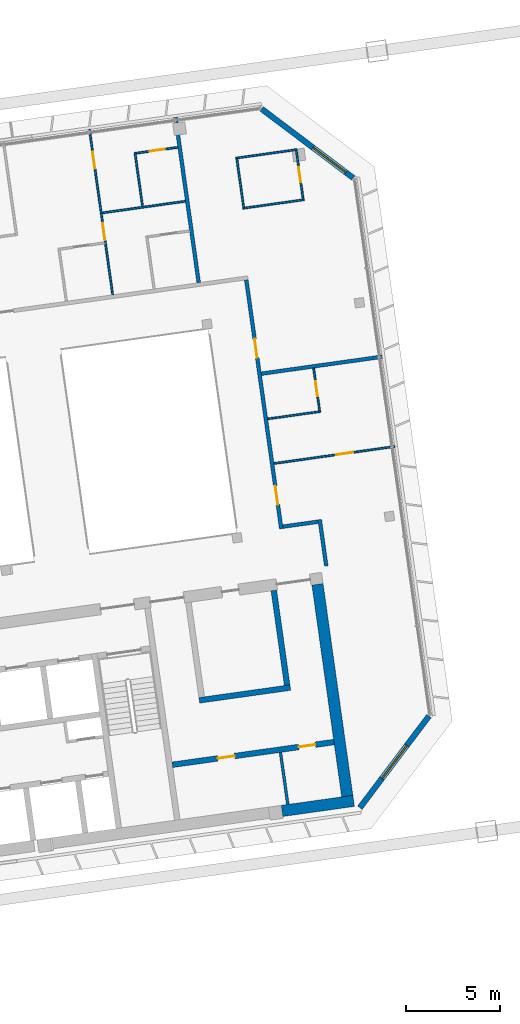
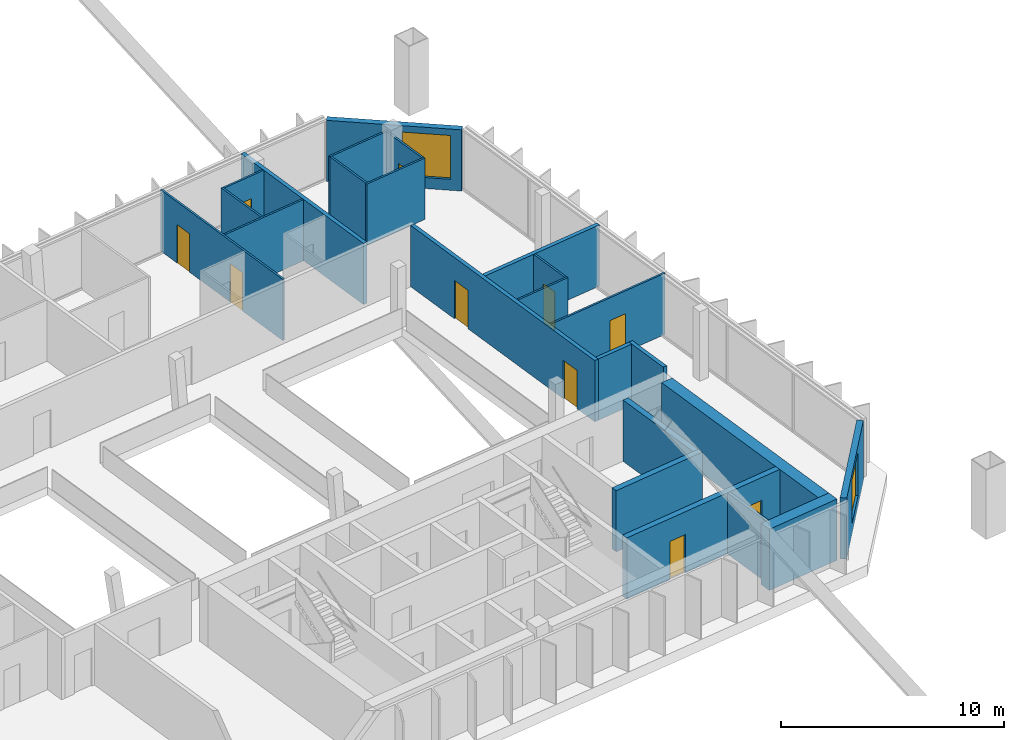
# One storey, part 25 of 28: 24 walls, 10 doors, 2 windows, 12 openings.
"""IFC4 building model written with IfcOpenShell, lengths in metres."""

from ifc_helpers import new_model, si_unit, direction, frame, frame_2d, origin, place, context, subcontext, project, spatial, rectangle, extrude, material, layer, layer_set, type_object, element, fill, save


model = new_model("IFC4")

# Units and contexts
model_context = context("Model", 3, precision=1e-05, world=origin(), true_north=direction((0.0, 1.0)))
body_context = subcontext(model_context, "Body", "Model", "MODEL_VIEW")
ifc_project = project(units=[si_unit("LENGTHUNIT", "METRE"), si_unit("AREAUNIT", "SQUARE_METRE"), si_unit("VOLUMEUNIT", "CUBIC_METRE"), si_unit("PLANEANGLEUNIT", "RADIAN"), si_unit("MASSUNIT", "GRAM", prefix="KILO")], contexts=[model_context])

# Site, building, storey
site_placement = place(None, origin())
site = spatial("IfcSite", under=ifc_project, at=site_placement, CompositionType="ELEMENT")
building_placement = place(site_placement, origin())
building = spatial("IfcBuilding", under=site, at=building_placement, Name="Mirante Cascada Hotel Towers", CompositionType="ELEMENT")
storey_placement = place(building_placement, frame((0.0, 0.0, 243.2)))
storey = spatial("IfcBuildingStorey", under=building, at=storey_placement, Name="L58", CompositionType="ELEMENT", Elevation=243.2)

# Walls
ifc_material_1 = material(Name="Fire-rated plasterboard on metal studs")
ifc_layer_1 = layer(ifc_material_1, 0.2)
ifc_layer_set_1 = layer_set([ifc_layer_1], Name="Compartment wall 200 EI 120")
wall_type_1 = type_object("IfcWallType", Name="Compartment wall 200 EI 120", PredefinedType="PARTITIONING", material=ifc_layer_set_1)
wall_1_placement = place(storey_placement, frame((61.5676, -0.9969, 0.0), z_axis=(0.0, 0.0, 1.0), x_axis=(-0.9902701, -0.1391589, 0.0)))
element("IfcWall", 1, at=wall_1_placement, inside=storey, type_object=wall_type_1, Name="Wall 2-L58-04", PredefinedType="PARTITIONING", context=body_context, shape_type="SweptSolid", body=[
    extrude(rectangle(XDim=1.9, YDim=0.2, at=frame_2d((0.95, 0.0))), origin(), (0.0, 0.0, 1.0), 3.35),
])
wall_2_placement = place(storey_placement, frame((58.5402, 6.8919, 0.0), z_axis=(0.0, 0.0, 1.0), x_axis=(0.9902688, 0.1391681, 0.0)))
element("IfcWall", 2, at=wall_2_placement, inside=storey, type_object=wall_type_1, Name="Wall 2-L58-13", PredefinedType="PARTITIONING", context=body_context, shape_type="SweptSolid", body=[
    extrude(rectangle(XDim=6.5001, YDim=0.2, at=frame_2d((3.25, 0.0))), origin(), (0.0, 0.0, 1.0), 3.35),
])
wall_3_placement = place(storey_placement, frame((55.2016, 11.7411, 0.0), z_axis=(0.0, 0.0, 1.0), x_axis=(-0.1391794, 0.9902672, 0.0)))
element("IfcWall", 3, at=wall_3_placement, inside=storey, type_object=wall_type_1, Name="Wall 2-L58-45", PredefinedType="PARTITIONING", context=body_context, shape_type="SweptSolid", body=[
    extrude(rectangle(XDim=8.9, YDim=0.2, at=frame_2d((4.45, 0.0))), origin(), (0.0, 0.0, 1.0), 3.35),
])

# Wall, openings, doors
wall_4_placement = place(storey_placement, frame((57.7361, 11.8953, 0.0), z_axis=(0.0, 0.0, 1.0), x_axis=(0.1391726, -0.9902681, 0.0)))
wall_4 = element("IfcWall", 4, at=wall_4_placement, inside=storey, type_object=wall_type_1, Name="Wall 2-L58-46", PredefinedType="PARTITIONING", context=body_context, shape_type="SweptSolid", body=[
    extrude(rectangle(XDim=13.3999, YDim=0.2, at=frame_2d((6.7, 0.0))), origin(), (0.0, 0.0, 1.0), 3.35),
])
opening_1_placement = place(wall_4_placement, frame((11.1, 0.0, 0.0)))
opening_1 = element("IfcOpeningElement", 5, at=opening_1_placement, cuts=wall_4, Name="Opening D2-L58-28", PredefinedType="OPENING", context=body_context, shape_type="SweptSolid", body=[
    extrude(rectangle(XDim=1.0, YDim=2.1, at=frame_2d((0.5, 1.05))), frame((0.0, 0.1, 0.0), z_axis=(0.0, -1.0, 0.0), x_axis=(1.0, 0.0, 0.0)), (0.0, 0.0, 1.0), 0.2),
])
opening_2_placement = place(wall_4_placement, frame((3.1834, 0.0, 0.0)))
opening_2 = element("IfcOpeningElement", 6, at=opening_2_placement, cuts=wall_4, Name="Opening D2-L58-29", PredefinedType="OPENING", context=body_context, shape_type="SweptSolid", body=[
    extrude(rectangle(XDim=1.0, YDim=2.1, at=frame_2d((0.5, 1.05))), frame((0.0, 0.1, 0.0), z_axis=(0.0, -1.0, 0.0), x_axis=(1.0, 0.0, 0.0)), (0.0, 0.0, 1.0), 0.2),
])
ifc_material_2 = material(Name="Fire-rated timber door leaf", Category="wood")
door_type_1 = type_object("IfcDoorType", Name="Entrance door DG1 1000x2100 EI 60", OperationType="SINGLE_SWING_LEFT", PredefinedType="DOOR", material=ifc_material_2)
door_1_placement = place(opening_1_placement, origin())
door_1 = element("IfcDoor", 7, at=door_1_placement, inside=storey, type_object=door_type_1, Name="Door D2-L58-28", OperationType="SINGLE_SWING_LEFT", OverallHeight=2.1, OverallWidth=1.0, PredefinedType="DOOR", context=body_context, shape_type="SweptSolid", body=[
    extrude(rectangle(XDim=1.0, YDim=2.1, at=frame_2d((0.5, 1.05))), frame((0.0, 0.025, 0.0), z_axis=(0.0, -1.0, 0.0), x_axis=(1.0, 0.0, 0.0)), (0.0, 0.0, 1.0), 0.05),
])
fill(opening_1, door_1)
door_2_placement = place(opening_2_placement, origin())
door_2 = element("IfcDoor", 8, at=door_2_placement, inside=storey, type_object=door_type_1, Name="Door D2-L58-29", OperationType="SINGLE_SWING_LEFT", OverallHeight=2.1, OverallWidth=1.0, PredefinedType="DOOR", context=body_context, shape_type="SweptSolid", body=[
    extrude(rectangle(XDim=1.0, YDim=2.1, at=frame_2d((0.5, 1.05))), frame((0.0, 0.025, 0.0), z_axis=(0.0, -1.0, 0.0), x_axis=(1.0, 0.0, 0.0)), (0.0, 0.0, 1.0), 0.05),
])
fill(opening_2, door_2)

# Walls
wall_5_placement = place(storey_placement, frame((61.6527, -0.8839, 0.0), z_axis=(0.0, 0.0, 1.0), x_axis=(0.1391586, -0.9902701, 0.0)))
element("IfcWall", 9, at=wall_5_placement, inside=storey, type_object=wall_type_1, Name="Wall 2-L58-48", PredefinedType="PARTITIONING", context=body_context, shape_type="SweptSolid", body=[
    extrude(rectangle(XDim=2.5, YDim=0.2, at=frame_2d((1.25, 0.0))), origin(), (0.0, 0.0, 1.0), 3.35),
])
ifc_material_3 = material(Name="Masonry block", Category="masonry")
ifc_layer_2 = layer(ifc_material_3, 0.15)
ifc_layer_set_2 = layer_set([ifc_layer_2], Name="Core room partition 150 block EI 30")
wall_type_2 = type_object("IfcWallType", Name="Core room partition 150 block EI 30", PredefinedType="PARTITIONING", material=ifc_layer_set_2)
wall_6_placement = place(storey_placement, frame((59.9495, -16.0688, 0.0), z_axis=(0.0, 0.0, 1.0), x_axis=(-0.139176, 0.9902677, 0.0)))
element("IfcWall", 10, at=wall_6_placement, inside=storey, type_object=wall_type_2, Name="Core wall partition T2 L58 6", PredefinedType="PARTITIONING", context=body_context, shape_type="SweptSolid", body=[
    extrude(rectangle(XDim=2.8001, YDim=0.15, at=frame_2d((1.4, 0.0))), origin(), (0.0, 0.0, 1.0), 3.35),
])

# Wall, openings, doors
ifc_material_4 = material(Name="Masonry block", Category="masonry")
ifc_layer_3 = layer(ifc_material_4, 0.3)
ifc_layer_set_3 = layer_set([ifc_layer_3], Name="Core wall 300 block EI 120")
wall_type_3 = type_object("IfcWallType", Name="Core wall 300 block EI 120", PredefinedType="PARTITIONING", material=ifc_layer_set_3)
wall_7_placement = place(storey_placement, frame((53.7953, -13.9547, 0.0), z_axis=(0.0, 0.0, 1.0), x_axis=(0.9902683, 0.1391714, 0.0)))
wall_7 = element("IfcWall", 11, at=wall_7_placement, inside=storey, type_object=wall_type_3, Name="Core wall partition T2 L58 5", PredefinedType="PARTITIONING", context=body_context, shape_type="SweptSolid", body=[
    extrude(rectangle(XDim=8.7001, YDim=0.3, at=frame_2d((4.3501, 0.0))), origin(), (0.0, 0.0, 1.0), 3.35),
])
opening_3_placement = place(wall_7_placement, frame((2.45, 0.0, 0.0)))
opening_3 = element("IfcOpeningElement", 12, at=opening_3_placement, cuts=wall_7, Name="Opening D2-58-C18", PredefinedType="OPENING", context=body_context, shape_type="SweptSolid", body=[
    extrude(rectangle(XDim=0.9, YDim=2.1, at=frame_2d((0.45, 1.05))), frame((0.0, 0.15, 0.0), z_axis=(0.0, -1.0, 0.0), x_axis=(1.0, 0.0, 0.0)), (0.0, 0.0, 1.0), 0.3),
])
opening_4_placement = place(wall_7_placement, frame((6.8, 0.0, 0.0)))
opening_4 = element("IfcOpeningElement", 13, at=opening_4_placement, cuts=wall_7, Name="Opening D2-58-C19", PredefinedType="OPENING", context=body_context, shape_type="SweptSolid", body=[
    extrude(rectangle(XDim=0.9, YDim=2.1, at=frame_2d((0.45, 1.05))), frame((0.0, 0.15, 0.0), z_axis=(0.0, -1.0, 0.0), x_axis=(1.0, 0.0, 0.0)), (0.0, 0.0, 1.0), 0.3),
])
ifc_material_5 = material(Name="Hollow metal fire door leaf")
door_type_2 = type_object("IfcDoorType", Name="Fire door 900x2100 FD60", OperationType="NOTDEFINED", PredefinedType="DOOR", material=ifc_material_5)
door_3_placement = place(opening_3_placement, frame((0.9, 0.0, 0.0), z_axis=(0.0, 0.0, 1.0), x_axis=(-1.0, 0.0, 0.0)))
door_3 = element("IfcDoor", 14, at=door_3_placement, inside=storey, type_object=door_type_2, Name="Room door T2 L58 18", OperationType="SINGLE_SWING_LEFT", OverallHeight=2.1, OverallWidth=0.9, PredefinedType="DOOR", context=body_context, shape_type="SweptSolid", body=[
    extrude(rectangle(XDim=0.9, YDim=2.1, at=frame_2d((0.45, 1.05))), frame((0.0, 0.025, 0.0), z_axis=(0.0, -1.0, 0.0), x_axis=(1.0, 0.0, 0.0)), (0.0, 0.0, 1.0), 0.05),
])
fill(opening_3, door_3)
door_4_placement = place(opening_4_placement, frame((0.9, 0.0, 0.0), z_axis=(0.0, 0.0, 1.0), x_axis=(-1.0, 0.0, 0.0)))
door_4 = element("IfcDoor", 15, at=door_4_placement, inside=storey, type_object=door_type_2, Name="Room door T2 L58 19", OperationType="SINGLE_SWING_RIGHT", OverallHeight=2.1, OverallWidth=0.9, PredefinedType="DOOR", context=body_context, shape_type="SweptSolid", body=[
    extrude(rectangle(XDim=0.9, YDim=2.1, at=frame_2d((0.45, 1.05))), frame((0.0, 0.025, 0.0), z_axis=(0.0, -1.0, 0.0), x_axis=(1.0, 0.0, 0.0)), (0.0, 0.0, 1.0), 0.05),
])
fill(opening_4, door_4)

# Wall, opening, door
ifc_material_6 = material(Name="Plasterboard on metal studs")
ifc_layer_4 = layer(ifc_material_6, 0.1)
ifc_layer_set_4 = layer_set([ifc_layer_4], Name="Partition 100")
wall_type_4 = type_object("IfcWallType", Name="Partition 100", PredefinedType="PARTITIONING", material=ifc_layer_set_4)
wall_8_placement = place(storey_placement, frame((65.6497, 3.0102, 0.0), z_axis=(0.0, 0.0, 1.0), x_axis=(-0.9902688, -0.1391681, 0.0)))
wall_8 = element("IfcWall", 16, at=wall_8_placement, inside=storey, type_object=wall_type_4, Name="Wall 2-L58-08", PredefinedType="PARTITIONING", context=body_context, shape_type="SweptSolid", body=[
    extrude(rectangle(XDim=6.5001, YDim=0.1, at=frame_2d((3.25, 0.0))), origin(), (0.0, 0.0, 1.0), 3.35),
])
opening_5_placement = place(wall_8_placement, frame((2.25, 0.0, 0.0)))
opening_5 = element("IfcOpeningElement", 17, at=opening_5_placement, cuts=wall_8, Name="Opening D2-L58-06", PredefinedType="OPENING", context=body_context, shape_type="SweptSolid", body=[
    extrude(rectangle(XDim=0.9, YDim=2.1, at=frame_2d((0.45, 1.05))), frame((0.0, 0.05, 0.0), z_axis=(0.0, -1.0, 0.0), x_axis=(1.0, 0.0, 0.0)), (0.0, 0.0, 1.0), 0.1),
])
ifc_material_7 = material(Name="Timber door leaf", Category="wood")
door_type_3 = type_object("IfcDoorType", Name="Room door DG3 900x2100", OperationType="SINGLE_SWING_LEFT", PredefinedType="DOOR", material=ifc_material_7)
door_5_placement = place(opening_5_placement, origin())
door_5 = element("IfcDoor", 18, at=door_5_placement, inside=storey, type_object=door_type_3, Name="Door D2-L58-06", OperationType="SINGLE_SWING_LEFT", OverallHeight=2.1, OverallWidth=0.9, PredefinedType="DOOR", context=body_context, shape_type="SweptSolid", body=[
    extrude(rectangle(XDim=0.9, YDim=2.1, at=frame_2d((0.45, 1.05))), frame((0.0, 0.025, 0.0), z_axis=(0.0, -1.0, 0.0), x_axis=(1.0, 0.0, 0.0)), (0.0, 0.0, 1.0), 0.05),
])
fill(opening_5, door_5)

# Walls
wall_9_placement = place(storey_placement, frame((58.8789, 4.4822, 0.0), z_axis=(0.0, 0.0, 1.0), x_axis=(0.9902656, 0.1391909, 0.0)))
element("IfcWall", 19, at=wall_9_placement, inside=storey, type_object=wall_type_4, Name="Wall 2-L58-11", PredefinedType="PARTITIONING", context=body_context, shape_type="SweptSolid", body=[
    extrude(rectangle(XDim=2.85, YDim=0.1, at=frame_2d((1.425, 0.0))), origin(), (0.0, 0.0, 1.0), 3.35),
])
wall_10_placement = place(storey_placement, frame((60.8217, 16.1663, 0.0), z_axis=(0.0, 0.0, 1.0), x_axis=(-0.9902711, -0.1391513, 0.0)))
element("IfcWall", 20, at=wall_10_placement, inside=storey, type_object=wall_type_4, Name="Wall 2-L58-18", PredefinedType="PARTITIONING", context=body_context, shape_type="SweptSolid", body=[
    extrude(rectangle(XDim=3.3, YDim=0.1, at=frame_2d((1.65, 0.0))), origin(), (0.0, 0.0, 1.0), 3.35),
])
wall_11_placement = place(storey_placement, frame((54.4902, 16.0844, 0.0), z_axis=(0.0, 0.0, 1.0), x_axis=(-0.990267, -0.139181, 0.0)))
element("IfcWall", 21, at=wall_11_placement, inside=storey, type_object=wall_type_4, Name="Wall 2-L58-22", PredefinedType="PARTITIONING", context=body_context, shape_type="SweptSolid", body=[
    extrude(rectangle(XDim=4.4812, YDim=0.1, at=frame_2d((2.2406, 0.0))), origin(), (0.0, 0.0, 1.0), 3.35),
])
wall_12_placement = place(storey_placement, frame((60.4459, 18.8401, 0.0), z_axis=(0.0, 0.0, 1.0), x_axis=(-0.990267, -0.139181, 0.0)))
element("IfcWall", 22, at=wall_12_placement, inside=storey, type_object=wall_type_4, Name="Wall 2-L58-24", PredefinedType="PARTITIONING", context=body_context, shape_type="SweptSolid", body=[
    extrude(rectangle(XDim=3.3, YDim=0.1, at=frame_2d((1.65, 0.0))), origin(), (0.0, 0.0, 1.0), 3.35),
])

# Wall, opening, door
wall_13_placement = place(storey_placement, frame((54.0866, 18.9561, 0.0), z_axis=(0.0, 0.0, 1.0), x_axis=(-0.9902705, -0.1391561, 0.0)))
wall_13 = element("IfcWall", 23, at=wall_13_placement, inside=storey, type_object=wall_type_4, Name="Wall 2-L58-26", PredefinedType="PARTITIONING", context=body_context, shape_type="SweptSolid", body=[
    extrude(rectangle(XDim=2.25, YDim=0.1, at=frame_2d((1.125, 0.0))), origin(), (0.0, 0.0, 1.0), 3.35),
])
opening_6_placement = place(wall_13_placement, frame((0.7, 0.0, 0.0)))
opening_6 = element("IfcOpeningElement", 24, at=opening_6_placement, cuts=wall_13, Name="Opening D2-L58-18", PredefinedType="OPENING", context=body_context, shape_type="SweptSolid", body=[
    extrude(rectangle(XDim=0.8, YDim=2.1, at=frame_2d((0.4, 1.05))), frame((0.0, 0.05, 0.0), z_axis=(0.0, -1.0, 0.0), x_axis=(1.0, 0.0, 0.0)), (0.0, 0.0, 1.0), 0.1),
])
ifc_material_8 = material(Name="Timber door leaf", Category="wood")
door_type_4 = type_object("IfcDoorType", Name="Bathroom door DG4 800x2100", OperationType="SINGLE_SWING_LEFT", PredefinedType="DOOR", material=ifc_material_8)
door_6_placement = place(opening_6_placement, origin())
door_6 = element("IfcDoor", 25, at=door_6_placement, inside=storey, type_object=door_type_4, Name="Door D2-L58-18", OperationType="SINGLE_SWING_LEFT", OverallHeight=2.1, OverallWidth=0.8, PredefinedType="DOOR", context=body_context, shape_type="SweptSolid", body=[
    extrude(rectangle(XDim=0.8, YDim=2.1, at=frame_2d((0.4, 1.05))), frame((0.0, 0.025, 0.0), z_axis=(0.0, -1.0, 0.0), x_axis=(1.0, 0.0, 0.0)), (0.0, 0.0, 1.0), 0.05),
])
fill(opening_6, door_6)

# Wall, openings, doors
wall_14_placement = place(storey_placement, frame((49.3768, 19.91, 0.0), z_axis=(0.0, 0.0, 1.0), x_axis=(0.1391684, -0.9902687, 0.0)))
wall_14 = element("IfcWall", 26, at=wall_14_placement, inside=storey, type_object=wall_type_4, Name="Wall 2-L58-42", PredefinedType="PARTITIONING", context=body_context, shape_type="SweptSolid", body=[
    extrude(rectangle(XDim=8.9, YDim=0.1, at=frame_2d((4.45, 0.0))), origin(), (0.0, 0.0, 1.0), 3.35),
])
opening_7_placement = place(wall_14_placement, frame((5.05, 0.0, 0.0)))
opening_7 = element("IfcOpeningElement", 27, at=opening_7_placement, cuts=wall_14, Name="Opening D2-L58-26", PredefinedType="OPENING", context=body_context, shape_type="SweptSolid", body=[
    extrude(rectangle(XDim=0.9, YDim=2.1, at=frame_2d((0.45, 1.05))), frame((0.0, 0.05, 0.0), z_axis=(0.0, -1.0, 0.0), x_axis=(1.0, 0.0, 0.0)), (0.0, 0.0, 1.0), 0.1),
])
opening_8_placement = place(wall_14_placement, frame((1.2, 0.0, 0.0)))
opening_8 = element("IfcOpeningElement", 28, at=opening_8_placement, cuts=wall_14, Name="Opening D2-L58-27", PredefinedType="OPENING", context=body_context, shape_type="SweptSolid", body=[
    extrude(rectangle(XDim=0.9, YDim=2.1, at=frame_2d((0.45, 1.05))), frame((0.0, 0.05, 0.0), z_axis=(0.0, -1.0, 0.0), x_axis=(1.0, 0.0, 0.0)), (0.0, 0.0, 1.0), 0.1),
])
door_7_placement = place(opening_7_placement, frame((0.9, 0.0, 0.0), z_axis=(0.0, 0.0, 1.0), x_axis=(-1.0, 0.0, 0.0)))
door_7 = element("IfcDoor", 29, at=door_7_placement, inside=storey, type_object=door_type_3, Name="Door D2-L58-26", OperationType="SINGLE_SWING_RIGHT", OverallHeight=2.1, OverallWidth=0.9, PredefinedType="DOOR", context=body_context, shape_type="SweptSolid", body=[
    extrude(rectangle(XDim=0.9, YDim=2.1, at=frame_2d((0.45, 1.05))), frame((0.0, 0.025, 0.0), z_axis=(0.0, -1.0, 0.0), x_axis=(1.0, 0.0, 0.0)), (0.0, 0.0, 1.0), 0.05),
])
fill(opening_7, door_7)
door_8_placement = place(opening_8_placement, frame((0.9, 0.0, 0.0), z_axis=(0.0, 0.0, 1.0), x_axis=(-1.0, 0.0, 0.0)))
door_8 = element("IfcDoor", 30, at=door_8_placement, inside=storey, type_object=door_type_3, Name="Door D2-L58-27", OperationType="SINGLE_SWING_RIGHT", OverallHeight=2.1, OverallWidth=0.9, PredefinedType="DOOR", context=body_context, shape_type="SweptSolid", body=[
    extrude(rectangle(XDim=0.9, YDim=2.1, at=frame_2d((0.45, 1.05))), frame((0.0, 0.025, 0.0), z_axis=(0.0, -1.0, 0.0), x_axis=(1.0, 0.0, 0.0)), (0.0, 0.0, 1.0), 0.05),
])
fill(opening_8, door_8)

# Walls
wall_15_placement = place(storey_placement, frame((51.802, 18.6856, 0.0), z_axis=(0.0, 0.0, 1.0), x_axis=(0.1391714, -0.9902683, 0.0)))
element("IfcWall", 31, at=wall_15_placement, inside=storey, type_object=wall_type_4, Name="Wall 2-L58-44", PredefinedType="PARTITIONING", context=body_context, shape_type="SweptSolid", body=[
    extrude(rectangle(XDim=2.9, YDim=0.1, at=frame_2d((1.45, 0.0))), origin(), (0.0, 0.0, 1.0), 3.35),
])
wall_16_placement = place(storey_placement, frame((57.5964, 15.7635, 0.0), z_axis=(0.0, 0.0, 1.0), x_axis=(-0.1391918, 0.9902654, 0.0)))
element("IfcWall", 32, at=wall_16_placement, inside=storey, type_object=wall_type_4, Name="Wall 2-L58-47", PredefinedType="PARTITIONING", context=body_context, shape_type="SweptSolid", body=[
    extrude(rectangle(XDim=2.6, YDim=0.1, at=frame_2d((1.3, 0.0))), origin(), (0.0, 0.0, 1.0), 3.35),
])

# Wall, opening, door
wall_17_placement = place(storey_placement, frame((61.6447, 4.9214, 0.0), z_axis=(0.0, 0.0, 1.0), x_axis=(-0.139183, 0.9902667, 0.0)))
wall_17 = element("IfcWall", 33, at=wall_17_placement, inside=storey, type_object=wall_type_4, Name="Wall 2-L58-49", PredefinedType="PARTITIONING", context=body_context, shape_type="SweptSolid", body=[
    extrude(rectangle(XDim=2.2833, YDim=0.1, at=frame_2d((1.1416, 0.0))), origin(), (0.0, 0.0, 1.0), 3.35),
])
opening_9_placement = place(wall_17_placement, frame((0.7833, 0.0, 0.0)))
opening_9 = element("IfcOpeningElement", 34, at=opening_9_placement, cuts=wall_17, Name="Opening D2-L58-30", PredefinedType="OPENING", context=body_context, shape_type="SweptSolid", body=[
    extrude(rectangle(XDim=0.8, YDim=2.1, at=frame_2d((0.4, 1.05))), frame((0.0, 0.05, 0.0), z_axis=(0.0, -1.0, 0.0), x_axis=(1.0, 0.0, 0.0)), (0.0, 0.0, 1.0), 0.1),
])
door_9_placement = place(opening_9_placement, frame((0.8, 0.0, 0.0), z_axis=(0.0, 0.0, 1.0), x_axis=(-1.0, 0.0, 0.0)))
door_9 = element("IfcDoor", 35, at=door_9_placement, inside=storey, type_object=door_type_4, Name="Door D2-L58-30", OperationType="SINGLE_SWING_RIGHT", OverallHeight=2.1, OverallWidth=0.8, PredefinedType="DOOR", context=body_context, shape_type="SweptSolid", body=[
    extrude(rectangle(XDim=0.8, YDim=2.1, at=frame_2d((0.4, 1.05))), frame((0.0, 0.025, 0.0), z_axis=(0.0, -1.0, 0.0), x_axis=(1.0, 0.0, 0.0)), (0.0, 0.0, 1.0), 0.05),
])
fill(opening_9, door_9)

wall_18_placement = place(storey_placement, frame((60.4034, 18.7836, 0.0), z_axis=(0.0, 0.0, 1.0), x_axis=(0.1391541, -0.9902707, 0.0)))
wall_18 = element("IfcWall", 36, at=wall_18_placement, inside=storey, type_object=wall_type_4, Name="Wall 2-L58-50", PredefinedType="PARTITIONING", context=body_context, shape_type="SweptSolid", body=[
    extrude(rectangle(XDim=2.6, YDim=0.1, at=frame_2d((1.3, 0.0))), origin(), (0.0, 0.0, 1.0), 3.35),
])
opening_10_placement = place(wall_18_placement, frame((0.9, 0.0, 0.0)))
opening_10 = element("IfcOpeningElement", 37, at=opening_10_placement, cuts=wall_18, Name="Opening D2-L58-31", PredefinedType="OPENING", context=body_context, shape_type="SweptSolid", body=[
    extrude(rectangle(XDim=0.8, YDim=2.1, at=frame_2d((0.4, 1.05))), frame((0.0, 0.05, 0.0), z_axis=(0.0, -1.0, 0.0), x_axis=(1.0, 0.0, 0.0)), (0.0, 0.0, 1.0), 0.1),
])
door_10_placement = place(opening_10_placement, frame((0.8, 0.0, 0.0), z_axis=(0.0, 0.0, 1.0), x_axis=(-1.0, 0.0, 0.0)))
door_10 = element("IfcDoor", 38, at=door_10_placement, inside=storey, type_object=door_type_4, Name="Door D2-L58-31", OperationType="SINGLE_SWING_RIGHT", OverallHeight=2.1, OverallWidth=0.8, PredefinedType="DOOR", context=body_context, shape_type="SweptSolid", body=[
    extrude(rectangle(XDim=0.8, YDim=2.1, at=frame_2d((0.4, 1.05))), frame((0.0, 0.025, 0.0), z_axis=(0.0, -1.0, 0.0), x_axis=(1.0, 0.0, 0.0)), (0.0, 0.0, 1.0), 0.05),
])
fill(opening_10, door_10)

# Wall, opening, window
ifc_material_9 = material(Name="Precast concrete C40/50", Category="concrete")
ifc_layer_5 = layer(ifc_material_9, 0.3)
ifc_layer_set_5 = layer_set([ifc_layer_5], Name="Precast concrete C40/50 cladding wall 300")
wall_type_5 = type_object("IfcWallType", Name="Precast concrete C40/50 cladding wall 300", PredefinedType="STANDARD", material=ifc_layer_set_5)
wall_19_placement = place(storey_placement, frame((63.7926, -16.2417, 0.0), z_axis=(0.0, 0.0, 1.0), x_axis=(0.6018245, 0.7986283, 0.0)))
wall_19 = element("IfcWall", 39, at=wall_19_placement, inside=storey, type_object=wall_type_5, Name="Corner cladding wall T2 L58 rear outer", PredefinedType="STANDARD", context=body_context, shape_type="SweptSolid", body=[
    extrude(rectangle(XDim=6.1157, YDim=0.3, at=frame_2d((3.0578, 0.0))), origin(), (0.0, 0.0, 1.0), 3.35),
])
opening_11_placement = place(wall_19_placement, frame((1.9578, 0.0, 0.6)))
opening_11 = element("IfcOpeningElement", 40, at=opening_11_placement, cuts=wall_19, Name="Opening W2-58-03", PredefinedType="OPENING", context=body_context, shape_type="SweptSolid", body=[
    extrude(rectangle(XDim=2.2, YDim=2.4, at=frame_2d((1.1, 1.2))), frame((0.0, 0.15, 0.0), z_axis=(0.0, -1.0, 0.0), x_axis=(1.0, 0.0, 0.0)), (0.0, 0.0, 1.0), 0.3),
])
ifc_material_10 = material(Name="Aluminium frame with clear double glazing", Category="aluminium")
window_type = type_object("IfcWindowType", Name="Corner suite window 2200x2400", PartitioningType="DOUBLE_PANEL_VERTICAL", PredefinedType="WINDOW", material=ifc_material_10)
window_1_placement = place(opening_11_placement, origin())
window_1 = element("IfcWindow", 41, at=window_1_placement, inside=storey, type_object=window_type, Name="Window W2-58-03", OverallHeight=2.4, OverallWidth=2.2, PartitioningType="SINGLE_PANEL", PredefinedType="WINDOW", context=body_context, shape_type="SweptSolid", body=[
    extrude(rectangle(XDim=2.2, YDim=2.4, at=frame_2d((1.1, 1.2))), frame((0.0, 0.03, 0.0), z_axis=(0.0, -1.0, 0.0), x_axis=(1.0, 0.0, 0.0)), (0.0, 0.0, 1.0), 0.06),
])
fill(opening_11, window_1)

wall_20_placement = place(storey_placement, frame((63.4422, 17.324, 0.0), z_axis=(0.0, 0.0, 1.0), x_axis=(-0.7986362, 0.6018141, 0.0)))
wall_20 = element("IfcWall", 42, at=wall_20_placement, inside=storey, type_object=wall_type_5, Name="Corner cladding wall T2 L58 outer front", PredefinedType="STANDARD", context=body_context, shape_type="SweptSolid", body=[
    extrude(rectangle(XDim=6.1157, YDim=0.3, at=frame_2d((3.0578, 0.0))), origin(), (0.0, 0.0, 1.0), 3.35),
])
opening_12_placement = place(wall_20_placement, frame((0.4975, 0.0, 0.6)))
opening_12 = element("IfcOpeningElement", 43, at=opening_12_placement, cuts=wall_20, Name="Opening W2-58-04", PredefinedType="OPENING", context=body_context, shape_type="SweptSolid", body=[
    extrude(rectangle(XDim=2.2, YDim=2.4, at=frame_2d((1.1, 1.2))), frame((0.0, 0.15, 0.0), z_axis=(0.0, -1.0, 0.0), x_axis=(1.0, 0.0, 0.0)), (0.0, 0.0, 1.0), 0.3),
])
window_2_placement = place(opening_12_placement, origin())
window_2 = element("IfcWindow", 44, at=window_2_placement, inside=storey, type_object=window_type, Name="Window W2-58-04", OverallHeight=2.4, OverallWidth=2.2, PartitioningType="SINGLE_PANEL", PredefinedType="WINDOW", context=body_context, shape_type="SweptSolid", body=[
    extrude(rectangle(XDim=2.2, YDim=2.4, at=frame_2d((1.1, 1.2))), frame((0.0, 0.03, 0.0), z_axis=(0.0, -1.0, 0.0), x_axis=(1.0, 0.0, 0.0)), (0.0, 0.0, 1.0), 0.06),
])
fill(opening_12, window_2)

# Walls
ifc_material_11 = material(Name="Concrete C50/60", Category="concrete")
ifc_layer_6 = layer(ifc_material_11, 0.3)
ifc_layer_set_6 = layer_set([ifc_layer_6], Name="RC core wall 300 C50/60")
wall_type_6 = type_object("IfcWallType", Name="RC core wall 300 C50/60", PredefinedType="SHEAR", material=ifc_layer_set_6)
wall_21_placement = place(storey_placement, frame((55.2315, -10.5214, 0.0), z_axis=(0.0, 0.0, 1.0), x_axis=(0.9902666, 0.1391838, 0.0)))
element("IfcWall", 45, at=wall_21_placement, inside=storey, type_object=wall_type_6, Name="Core wall T2:L58:25", PredefinedType="SHEAR", context=body_context, shape_type="SweptSolid", body=[
    extrude(rectangle(XDim=4.9, YDim=0.3, at=frame_2d((2.45, 0.0))), origin(), (0.0, 0.0, 1.0), 3.35),
])
wall_22_placement = place(storey_placement, frame((59.9144, -9.7118, 0.0), z_axis=(0.0, 0.0, 1.0), x_axis=(-0.1391755, 0.9902677, 0.0)))
element("IfcWall", 46, at=wall_22_placement, inside=storey, type_object=wall_type_6, Name="Core wall T2:L58:27", PredefinedType="SHEAR", context=body_context, shape_type="SweptSolid", body=[
    extrude(rectangle(XDim=5.1, YDim=0.3, at=frame_2d((2.55, 0.0))), origin(), (0.0, 0.0, 1.0), 3.35),
])
ifc_material_12 = material(Name="Concrete C50/60", Category="concrete")
ifc_layer_7 = layer(ifc_material_12, 0.6)
ifc_layer_set_7 = layer_set([ifc_layer_7], Name="RC core wall 600 C50/60")
wall_type_7 = type_object("IfcWallType", Name="RC core wall 600 C50/60", PredefinedType="SHEAR", material=ifc_layer_set_7)
wall_23_placement = place(storey_placement, frame((59.6446, -16.4145, 0.0), z_axis=(0.0, 0.0, 1.0), x_axis=(0.9902685, 0.1391701, 0.0)))
element("IfcWall", 47, at=wall_23_placement, inside=storey, type_object=wall_type_7, Name="Core wall T2:L58:1.3", PredefinedType="SHEAR", context=body_context, shape_type="SweptSolid", body=[
    extrude(rectangle(XDim=3.85, YDim=0.6, at=frame_2d((1.925, 0.0))), origin(), (0.0, 0.0, 1.0), 3.35),
])
wall_24_placement = place(storey_placement, frame((63.1183, -15.6234, 0.0), z_axis=(0.0, 0.0, 1.0), x_axis=(-0.1391749, 0.9902678, 0.0)))
element("IfcWall", 48, at=wall_24_placement, inside=storey, type_object=wall_type_7, Name="Core wall T2:L58:4", PredefinedType="SHEAR", context=body_context, shape_type="SweptSolid", body=[
    extrude(rectangle(XDim=11.4, YDim=0.6, at=frame_2d((5.7, 0.0))), origin(), (0.0, 0.0, 1.0), 3.35),
])

save(model, "model.ifc")
